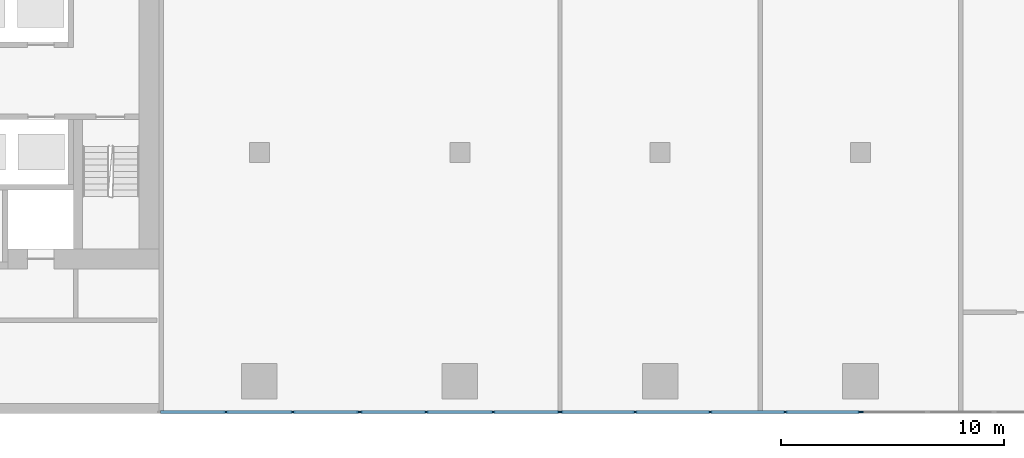
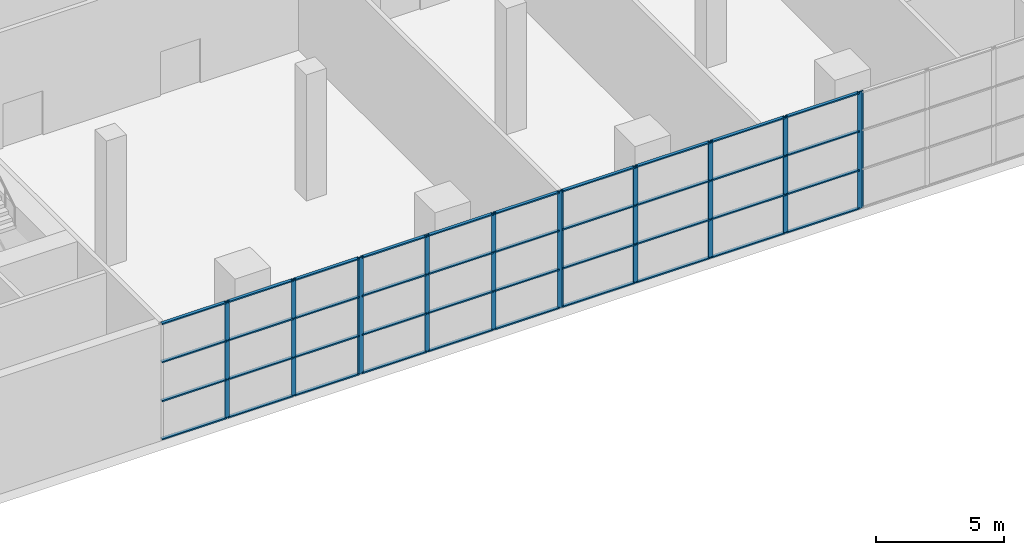
# One storey, part 4 of 27: 53 members, 4 elements without a shape of their own.
"""IFC4 building model written with IfcOpenShell, lengths in metres."""

from ifc_helpers import new_model, si_unit, direction, frame, origin, origin_2d, place, context, subcontext, project, spatial, rectangle, extrude, material, material_profile, profile_set, type_object, element, aggregate, save


model = new_model("IFC4")

# Units and contexts
model_context = context("Model", 3, precision=1e-05, world=origin(), true_north=direction((0.0, 1.0)))
body_context = subcontext(model_context, "Body", "Model", "MODEL_VIEW")
ifc_project = project(units=[si_unit("LENGTHUNIT", "METRE"), si_unit("AREAUNIT", "SQUARE_METRE"), si_unit("VOLUMEUNIT", "CUBIC_METRE"), si_unit("PLANEANGLEUNIT", "RADIAN"), si_unit("MASSUNIT", "GRAM", prefix="KILO")], contexts=[model_context])

# Site, building, storey
site_placement = place(None, origin())
site = spatial("IfcSite", under=ifc_project, at=site_placement, CompositionType="ELEMENT")
building_placement = place(site_placement, origin())
building = spatial("IfcBuilding", under=site, at=building_placement, Name="Kajstack Hotel Tower", CompositionType="ELEMENT")
storey_placement = place(building_placement, frame((0.0, 0.0, 11.0)))
storey = spatial("IfcBuildingStorey", under=building, at=storey_placement, Name="L01", CompositionType="ELEMENT", Elevation=11.0)

# Curtain wall, members
ifc_material_1 = material(Name="Aluminium-framed curtain wall, low-iron glass", Category="aluminium")
curtain_wall_type = type_object("IfcCurtainWallType", Name="CW-LOBBY", PredefinedType="NOTDEFINED", material=ifc_material_1)
curtain_wall_1_placement = place(storey_placement, origin())
curtain_wall_1 = element("IfcCurtainWall", 1, at=curtain_wall_1_placement, inside=storey, type_object=curtain_wall_type, Name="Curtain wall CU1 L01-03-02-0", PredefinedType="NOTDEFINED")
ifc_material_2 = material(Name="Aluminium", Category="aluminium")
ifc_material_profile_1 = material_profile(ifc_material_2, rectangle(XDim=0.06005859375, YDim=0.199951171875, at=origin_2d()), Name="Aluminium mullion 60 x 200")
ifc_profile_set_1 = profile_set([ifc_material_profile_1], Name="Aluminium")
member_type_1 = type_object("IfcMemberType", Name="CW-M-LOBBY", PredefinedType="MULLION", material=ifc_profile_set_1)
member_1_placement = place(storey_placement, frame((-10.5, -21.925048828125, 0.0), z_axis=(0.0, 0.0, 1.0), x_axis=(0.0, 1.0, 0.0)))
member_1 = element("IfcMember", 2, at=member_1_placement, type_object=member_type_1, Name="CU1 mullion 2", PredefinedType="MULLION", context=body_context, shape_type="SweptSolid", body=[
    extrude(rectangle(XDim=0.06005859375, YDim=0.199951171875, at=origin_2d()), origin(), (0.0, 0.0, 1.0), 5.550048828125),
])
member_2_placement = place(storey_placement, frame((-7.5, -21.925048828125, 0.0), z_axis=(0.0, 0.0, 1.0), x_axis=(0.0, 1.0, 0.0)))
member_2 = element("IfcMember", 3, at=member_2_placement, type_object=member_type_1, Name="CU1 mullion 3", PredefinedType="MULLION", context=body_context, shape_type="SweptSolid", body=[
    extrude(rectangle(XDim=0.06005859375, YDim=0.199951171875, at=origin_2d()), origin(), (0.0, 0.0, 1.0), 5.550048828125),
])
member_3_placement = place(storey_placement, frame((-4.530029296875, -21.925048828125, 0.0), z_axis=(0.0, 0.0, 1.0), x_axis=(0.0, 1.0, 0.0)))
member_3 = element("IfcMember", 4, at=member_3_placement, type_object=member_type_1, Name="CU1 mullion 4", PredefinedType="MULLION", context=body_context, shape_type="SweptSolid", body=[
    extrude(rectangle(XDim=0.06005859375, YDim=0.199951171875, at=origin_2d()), origin(), (0.0, 0.0, 1.0), 5.550048828125),
])

curtain_wall_2_placement = place(storey_placement, origin())
curtain_wall_2 = element("IfcCurtainWall", 5, at=curtain_wall_2_placement, inside=storey, type_object=curtain_wall_type, Name="Curtain wall CU1 L01-03-02-1", PredefinedType="NOTDEFINED")
member_4_placement = place(storey_placement, frame((-4.469970703125, -21.925048828125, 0.0), z_axis=(0.0, 0.0, 1.0), x_axis=(0.0, 1.0, 0.0)))
member_4 = element("IfcMember", 6, at=member_4_placement, type_object=member_type_1, Name="CU1 mullion 1", PredefinedType="MULLION", context=body_context, shape_type="SweptSolid", body=[
    extrude(rectangle(XDim=0.06005859375, YDim=0.199951171875, at=origin_2d()), origin(), (0.0, 0.0, 1.0), 5.550048828125),
])
member_5_placement = place(storey_placement, frame((-1.5, -21.925048828125, 0.0), z_axis=(0.0, 0.0, 1.0), x_axis=(0.0, 1.0, 0.0)))
member_5 = element("IfcMember", 7, at=member_5_placement, type_object=member_type_1, Name="CU1 mullion 2", PredefinedType="MULLION", context=body_context, shape_type="SweptSolid", body=[
    extrude(rectangle(XDim=0.06005859375, YDim=0.199951171875, at=origin_2d()), origin(), (0.0, 0.0, 1.0), 5.550048828125),
])
member_6_placement = place(storey_placement, frame((1.5, -21.925048828125, 0.0), z_axis=(0.0, 0.0, 1.0), x_axis=(0.0, 1.0, 0.0)))
member_6 = element("IfcMember", 8, at=member_6_placement, type_object=member_type_1, Name="CU1 mullion 3", PredefinedType="MULLION", context=body_context, shape_type="SweptSolid", body=[
    extrude(rectangle(XDim=0.06005859375, YDim=0.199951171875, at=origin_2d()), origin(), (0.0, 0.0, 1.0), 5.550048828125),
])
member_7_placement = place(storey_placement, frame((4.469970703125, -21.925048828125, 0.0), z_axis=(0.0, 0.0, 1.0), x_axis=(0.0, 1.0, 0.0)))
member_7 = element("IfcMember", 9, at=member_7_placement, type_object=member_type_1, Name="CU1 mullion 4", PredefinedType="MULLION", context=body_context, shape_type="SweptSolid", body=[
    extrude(rectangle(XDim=0.06005859375, YDim=0.199951171875, at=origin_2d()), origin(), (0.0, 0.0, 1.0), 5.550048828125),
])

curtain_wall_3_placement = place(storey_placement, origin())
curtain_wall_3 = element("IfcCurtainWall", 10, at=curtain_wall_3_placement, inside=storey, type_object=curtain_wall_type, Name="Curtain wall CU1 L01-03-02-2", PredefinedType="NOTDEFINED")
member_8_placement = place(storey_placement, frame((4.530029296875, -21.925048828125, 0.0), z_axis=(0.0, 0.0, 1.0), x_axis=(0.0, 1.0, 0.0)))
member_8 = element("IfcMember", 11, at=member_8_placement, type_object=member_type_1, Name="CU1 mullion 1", PredefinedType="MULLION", context=body_context, shape_type="SweptSolid", body=[
    extrude(rectangle(XDim=0.06005859375, YDim=0.199951171875, at=origin_2d()), origin(), (0.0, 0.0, 1.0), 5.550048828125),
])
member_9_placement = place(storey_placement, frame((7.875, -21.925048828125, 0.0), z_axis=(0.0, 0.0, 1.0), x_axis=(0.0, 1.0, 0.0)))
member_9 = element("IfcMember", 12, at=member_9_placement, type_object=member_type_1, Name="CU1 mullion 2", PredefinedType="MULLION", context=body_context, shape_type="SweptSolid", body=[
    extrude(rectangle(XDim=0.06005859375, YDim=0.199951171875, at=origin_2d()), origin(), (0.0, 0.0, 1.0), 5.550048828125),
])
member_10_placement = place(storey_placement, frame((11.25, -21.925048828125, 0.0), z_axis=(0.0, 0.0, 1.0), x_axis=(0.0, 1.0, 0.0)))
member_10 = element("IfcMember", 13, at=member_10_placement, type_object=member_type_1, Name="CU1 mullion 3", PredefinedType="MULLION", context=body_context, shape_type="SweptSolid", body=[
    extrude(rectangle(XDim=0.06005859375, YDim=0.199951171875, at=origin_2d()), origin(), (0.0, 0.0, 1.0), 5.550048828125),
])
member_11_placement = place(storey_placement, frame((14.625, -21.925048828125, 0.0), z_axis=(0.0, 0.0, 1.0), x_axis=(0.0, 1.0, 0.0)))
member_11 = element("IfcMember", 14, at=member_11_placement, type_object=member_type_1, Name="CU1 mullion 4", PredefinedType="MULLION", context=body_context, shape_type="SweptSolid", body=[
    extrude(rectangle(XDim=0.06005859375, YDim=0.199951171875, at=origin_2d()), origin(), (0.0, 0.0, 1.0), 5.550048828125),
])
member_12_placement = place(storey_placement, frame((17.969970703125, -21.925048828125, 0.0), z_axis=(0.0, 0.0, 1.0), x_axis=(0.0, 1.0, 0.0)))
member_12 = element("IfcMember", 15, at=member_12_placement, type_object=member_type_1, Name="CU1 mullion 5", PredefinedType="MULLION", context=body_context, shape_type="SweptSolid", body=[
    extrude(rectangle(XDim=0.06005859375, YDim=0.199951171875, at=origin_2d()), origin(), (0.0, 0.0, 1.0), 5.550048828125),
])

# Curtain wall, member
curtain_wall_4_placement = place(storey_placement, origin())
curtain_wall_4 = element("IfcCurtainWall", 16, at=curtain_wall_4_placement, inside=storey, type_object=curtain_wall_type, Name="Curtain wall CU1 L01-03-02-3", PredefinedType="NOTDEFINED")
member_13_placement = place(storey_placement, frame((18.030029296875, -21.925048828125, 0.0), z_axis=(0.0, 0.0, 1.0), x_axis=(0.0, 1.0, 0.0)))
member_13 = element("IfcMember", 17, at=member_13_placement, type_object=member_type_1, Name="CU1 mullion 1", PredefinedType="MULLION", context=body_context, shape_type="SweptSolid", body=[
    extrude(rectangle(XDim=0.06005859375, YDim=0.199951171875, at=origin_2d()), origin(), (0.0, 0.0, 1.0), 5.550048828125),
])
aggregate(curtain_wall_4, [member_13])

# Member
ifc_material_profile_2 = material_profile(ifc_material_2, rectangle(XDim=0.139892578125, YDim=0.06005859375, at=origin_2d()), Name="Aluminium transom 140 x 60")
ifc_profile_set_2 = profile_set([ifc_material_profile_2], Name="Aluminium")
member_type_2 = type_object("IfcMemberType", Name="CW-T-LOBBY", PredefinedType="USERDEFINED", material=ifc_profile_set_2)
member_14_placement = place(storey_placement, frame((-13.43994140625, -21.925048828125, 0.030029296875), z_axis=(1.0, 0.0, 0.0), x_axis=(0.0, 1.0, 0.0)))
member_14 = element("IfcMember", 18, at=member_14_placement, type_object=member_type_2, Name="CU1 transom 1.1", ObjectType="TRANSOM", PredefinedType="USERDEFINED", context=body_context, shape_type="SweptSolid", body=[
    extrude(rectangle(XDim=0.139892578125, YDim=0.06005859375, at=origin_2d()), origin(), (0.0, 0.0, 1.0), 2.909912109375),
])

member_15_placement = place(storey_placement, frame((-13.43994140625, -21.925048828125, 1.85009765625), z_axis=(1.0, 0.0, 0.0), x_axis=(0.0, 1.0, 0.0)))
member_15 = element("IfcMember", 19, at=member_15_placement, type_object=member_type_2, Name="CU1 transom 1.2", ObjectType="TRANSOM", PredefinedType="USERDEFINED", context=body_context, shape_type="SweptSolid", body=[
    extrude(rectangle(XDim=0.139892578125, YDim=0.06005859375, at=origin_2d()), origin(), (0.0, 0.0, 1.0), 2.909912109375),
])

member_16_placement = place(storey_placement, frame((-13.43994140625, -21.925048828125, 3.699951171875), z_axis=(1.0, 0.0, 0.0), x_axis=(0.0, 1.0, 0.0)))
member_16 = element("IfcMember", 20, at=member_16_placement, type_object=member_type_2, Name="CU1 transom 1.3", ObjectType="TRANSOM", PredefinedType="USERDEFINED", context=body_context, shape_type="SweptSolid", body=[
    extrude(rectangle(XDim=0.139892578125, YDim=0.06005859375, at=origin_2d()), origin(), (0.0, 0.0, 1.0), 2.909912109375),
])

member_17_placement = place(storey_placement, frame((-13.43994140625, -21.925048828125, 5.52001953125), z_axis=(1.0, 0.0, 0.0), x_axis=(0.0, 1.0, 0.0)))
member_17 = element("IfcMember", 21, at=member_17_placement, type_object=member_type_2, Name="CU1 transom 1.4", ObjectType="TRANSOM", PredefinedType="USERDEFINED", context=body_context, shape_type="SweptSolid", body=[
    extrude(rectangle(XDim=0.139892578125, YDim=0.06005859375, at=origin_2d()), origin(), (0.0, 0.0, 1.0), 2.909912109375),
])

member_18_placement = place(storey_placement, frame((-10.469970703125, -21.925048828125, 0.030029296875), z_axis=(1.0, 0.0, 0.0), x_axis=(0.0, 1.0, 0.0)))
member_18 = element("IfcMember", 22, at=member_18_placement, type_object=member_type_2, Name="CU1 transom 2.1", ObjectType="TRANSOM", PredefinedType="USERDEFINED", context=body_context, shape_type="SweptSolid", body=[
    extrude(rectangle(XDim=0.139892578125, YDim=0.06005859375, at=origin_2d()), origin(), (0.0, 0.0, 1.0), 2.93994140625),
])

member_19_placement = place(storey_placement, frame((-10.469970703125, -21.925048828125, 1.85009765625), z_axis=(1.0, 0.0, 0.0), x_axis=(0.0, 1.0, 0.0)))
member_19 = element("IfcMember", 23, at=member_19_placement, type_object=member_type_2, Name="CU1 transom 2.2", ObjectType="TRANSOM", PredefinedType="USERDEFINED", context=body_context, shape_type="SweptSolid", body=[
    extrude(rectangle(XDim=0.139892578125, YDim=0.06005859375, at=origin_2d()), origin(), (0.0, 0.0, 1.0), 2.93994140625),
])

member_20_placement = place(storey_placement, frame((-10.469970703125, -21.925048828125, 3.699951171875), z_axis=(1.0, 0.0, 0.0), x_axis=(0.0, 1.0, 0.0)))
member_20 = element("IfcMember", 24, at=member_20_placement, type_object=member_type_2, Name="CU1 transom 2.3", ObjectType="TRANSOM", PredefinedType="USERDEFINED", context=body_context, shape_type="SweptSolid", body=[
    extrude(rectangle(XDim=0.139892578125, YDim=0.06005859375, at=origin_2d()), origin(), (0.0, 0.0, 1.0), 2.93994140625),
])

member_21_placement = place(storey_placement, frame((-10.469970703125, -21.925048828125, 5.52001953125), z_axis=(1.0, 0.0, 0.0), x_axis=(0.0, 1.0, 0.0)))
member_21 = element("IfcMember", 25, at=member_21_placement, type_object=member_type_2, Name="CU1 transom 2.4", ObjectType="TRANSOM", PredefinedType="USERDEFINED", context=body_context, shape_type="SweptSolid", body=[
    extrude(rectangle(XDim=0.139892578125, YDim=0.06005859375, at=origin_2d()), origin(), (0.0, 0.0, 1.0), 2.93994140625),
])

member_22_placement = place(storey_placement, frame((-7.469970703125, -21.925048828125, 0.030029296875), z_axis=(1.0, 0.0, 0.0), x_axis=(0.0, 1.0, 0.0)))
member_22 = element("IfcMember", 26, at=member_22_placement, type_object=member_type_2, Name="CU1 transom 3.1", ObjectType="TRANSOM", PredefinedType="USERDEFINED", context=body_context, shape_type="SweptSolid", body=[
    extrude(rectangle(XDim=0.139892578125, YDim=0.06005859375, at=origin_2d()), origin(), (0.0, 0.0, 1.0), 2.909912109375),
])

member_23_placement = place(storey_placement, frame((-7.469970703125, -21.925048828125, 1.85009765625), z_axis=(1.0, 0.0, 0.0), x_axis=(0.0, 1.0, 0.0)))
member_23 = element("IfcMember", 27, at=member_23_placement, type_object=member_type_2, Name="CU1 transom 3.2", ObjectType="TRANSOM", PredefinedType="USERDEFINED", context=body_context, shape_type="SweptSolid", body=[
    extrude(rectangle(XDim=0.139892578125, YDim=0.06005859375, at=origin_2d()), origin(), (0.0, 0.0, 1.0), 2.909912109375),
])

member_24_placement = place(storey_placement, frame((-7.469970703125, -21.925048828125, 3.699951171875), z_axis=(1.0, 0.0, 0.0), x_axis=(0.0, 1.0, 0.0)))
member_24 = element("IfcMember", 28, at=member_24_placement, type_object=member_type_2, Name="CU1 transom 3.3", ObjectType="TRANSOM", PredefinedType="USERDEFINED", context=body_context, shape_type="SweptSolid", body=[
    extrude(rectangle(XDim=0.139892578125, YDim=0.06005859375, at=origin_2d()), origin(), (0.0, 0.0, 1.0), 2.909912109375),
])

member_25_placement = place(storey_placement, frame((-7.469970703125, -21.925048828125, 5.52001953125), z_axis=(1.0, 0.0, 0.0), x_axis=(0.0, 1.0, 0.0)))
member_25 = element("IfcMember", 29, at=member_25_placement, type_object=member_type_2, Name="CU1 transom 3.4", ObjectType="TRANSOM", PredefinedType="USERDEFINED", context=body_context, shape_type="SweptSolid", body=[
    extrude(rectangle(XDim=0.139892578125, YDim=0.06005859375, at=origin_2d()), origin(), (0.0, 0.0, 1.0), 2.909912109375),
])

aggregate(curtain_wall_1, [member_1, member_2, member_3, member_14, member_15, member_16, member_17, member_18, member_19, member_20, member_21, member_22, member_23, member_24, member_25])

member_26_placement = place(storey_placement, frame((-4.43994140625, -21.925048828125, 0.030029296875), z_axis=(1.0, 0.0, 0.0), x_axis=(0.0, 1.0, 0.0)))
member_26 = element("IfcMember", 30, at=member_26_placement, type_object=member_type_2, Name="CU1 transom 1.1", ObjectType="TRANSOM", PredefinedType="USERDEFINED", context=body_context, shape_type="SweptSolid", body=[
    extrude(rectangle(XDim=0.139892578125, YDim=0.06005859375, at=origin_2d()), origin(), (0.0, 0.0, 1.0), 2.909912109375),
])

member_27_placement = place(storey_placement, frame((-4.43994140625, -21.925048828125, 1.85009765625), z_axis=(1.0, 0.0, 0.0), x_axis=(0.0, 1.0, 0.0)))
member_27 = element("IfcMember", 31, at=member_27_placement, type_object=member_type_2, Name="CU1 transom 1.2", ObjectType="TRANSOM", PredefinedType="USERDEFINED", context=body_context, shape_type="SweptSolid", body=[
    extrude(rectangle(XDim=0.139892578125, YDim=0.06005859375, at=origin_2d()), origin(), (0.0, 0.0, 1.0), 2.909912109375),
])

member_28_placement = place(storey_placement, frame((-4.43994140625, -21.925048828125, 3.699951171875), z_axis=(1.0, 0.0, 0.0), x_axis=(0.0, 1.0, 0.0)))
member_28 = element("IfcMember", 32, at=member_28_placement, type_object=member_type_2, Name="CU1 transom 1.3", ObjectType="TRANSOM", PredefinedType="USERDEFINED", context=body_context, shape_type="SweptSolid", body=[
    extrude(rectangle(XDim=0.139892578125, YDim=0.06005859375, at=origin_2d()), origin(), (0.0, 0.0, 1.0), 2.909912109375),
])

member_29_placement = place(storey_placement, frame((-4.43994140625, -21.925048828125, 5.52001953125), z_axis=(1.0, 0.0, 0.0), x_axis=(0.0, 1.0, 0.0)))
member_29 = element("IfcMember", 33, at=member_29_placement, type_object=member_type_2, Name="CU1 transom 1.4", ObjectType="TRANSOM", PredefinedType="USERDEFINED", context=body_context, shape_type="SweptSolid", body=[
    extrude(rectangle(XDim=0.139892578125, YDim=0.06005859375, at=origin_2d()), origin(), (0.0, 0.0, 1.0), 2.909912109375),
])

member_30_placement = place(storey_placement, frame((-1.469970703125, -21.925048828125, 0.030029296875), z_axis=(1.0, 0.0, 0.0), x_axis=(0.0, 1.0, 0.0)))
member_30 = element("IfcMember", 34, at=member_30_placement, type_object=member_type_2, Name="CU1 transom 2.1", ObjectType="TRANSOM", PredefinedType="USERDEFINED", context=body_context, shape_type="SweptSolid", body=[
    extrude(rectangle(XDim=0.139892578125, YDim=0.06005859375, at=origin_2d()), origin(), (0.0, 0.0, 1.0), 2.93994140625),
])

member_31_placement = place(storey_placement, frame((-1.469970703125, -21.925048828125, 1.85009765625), z_axis=(1.0, 0.0, 0.0), x_axis=(0.0, 1.0, 0.0)))
member_31 = element("IfcMember", 35, at=member_31_placement, type_object=member_type_2, Name="CU1 transom 2.2", ObjectType="TRANSOM", PredefinedType="USERDEFINED", context=body_context, shape_type="SweptSolid", body=[
    extrude(rectangle(XDim=0.139892578125, YDim=0.06005859375, at=origin_2d()), origin(), (0.0, 0.0, 1.0), 2.93994140625),
])

member_32_placement = place(storey_placement, frame((-1.469970703125, -21.925048828125, 3.699951171875), z_axis=(1.0, 0.0, 0.0), x_axis=(0.0, 1.0, 0.0)))
member_32 = element("IfcMember", 36, at=member_32_placement, type_object=member_type_2, Name="CU1 transom 2.3", ObjectType="TRANSOM", PredefinedType="USERDEFINED", context=body_context, shape_type="SweptSolid", body=[
    extrude(rectangle(XDim=0.139892578125, YDim=0.06005859375, at=origin_2d()), origin(), (0.0, 0.0, 1.0), 2.93994140625),
])

member_33_placement = place(storey_placement, frame((-1.469970703125, -21.925048828125, 5.52001953125), z_axis=(1.0, 0.0, 0.0), x_axis=(0.0, 1.0, 0.0)))
member_33 = element("IfcMember", 37, at=member_33_placement, type_object=member_type_2, Name="CU1 transom 2.4", ObjectType="TRANSOM", PredefinedType="USERDEFINED", context=body_context, shape_type="SweptSolid", body=[
    extrude(rectangle(XDim=0.139892578125, YDim=0.06005859375, at=origin_2d()), origin(), (0.0, 0.0, 1.0), 2.93994140625),
])

member_34_placement = place(storey_placement, frame((1.530029296875, -21.925048828125, 0.030029296875), z_axis=(1.0, 0.0, 0.0), x_axis=(0.0, 1.0, 0.0)))
member_34 = element("IfcMember", 38, at=member_34_placement, type_object=member_type_2, Name="CU1 transom 3.1", ObjectType="TRANSOM", PredefinedType="USERDEFINED", context=body_context, shape_type="SweptSolid", body=[
    extrude(rectangle(XDim=0.139892578125, YDim=0.06005859375, at=origin_2d()), origin(), (0.0, 0.0, 1.0), 2.909912109375),
])

member_35_placement = place(storey_placement, frame((1.530029296875, -21.925048828125, 1.85009765625), z_axis=(1.0, 0.0, 0.0), x_axis=(0.0, 1.0, 0.0)))
member_35 = element("IfcMember", 39, at=member_35_placement, type_object=member_type_2, Name="CU1 transom 3.2", ObjectType="TRANSOM", PredefinedType="USERDEFINED", context=body_context, shape_type="SweptSolid", body=[
    extrude(rectangle(XDim=0.139892578125, YDim=0.06005859375, at=origin_2d()), origin(), (0.0, 0.0, 1.0), 2.909912109375),
])

member_36_placement = place(storey_placement, frame((1.530029296875, -21.925048828125, 3.699951171875), z_axis=(1.0, 0.0, 0.0), x_axis=(0.0, 1.0, 0.0)))
member_36 = element("IfcMember", 40, at=member_36_placement, type_object=member_type_2, Name="CU1 transom 3.3", ObjectType="TRANSOM", PredefinedType="USERDEFINED", context=body_context, shape_type="SweptSolid", body=[
    extrude(rectangle(XDim=0.139892578125, YDim=0.06005859375, at=origin_2d()), origin(), (0.0, 0.0, 1.0), 2.909912109375),
])

member_37_placement = place(storey_placement, frame((1.530029296875, -21.925048828125, 5.52001953125), z_axis=(1.0, 0.0, 0.0), x_axis=(0.0, 1.0, 0.0)))
member_37 = element("IfcMember", 41, at=member_37_placement, type_object=member_type_2, Name="CU1 transom 3.4", ObjectType="TRANSOM", PredefinedType="USERDEFINED", context=body_context, shape_type="SweptSolid", body=[
    extrude(rectangle(XDim=0.139892578125, YDim=0.06005859375, at=origin_2d()), origin(), (0.0, 0.0, 1.0), 2.909912109375),
])

aggregate(curtain_wall_2, [member_4, member_5, member_6, member_7, member_26, member_27, member_28, member_29, member_30, member_31, member_32, member_33, member_34, member_35, member_36, member_37])

member_38_placement = place(storey_placement, frame((4.56005859375, -21.925048828125, 0.030029296875), z_axis=(1.0, 0.0, 0.0), x_axis=(0.0, 1.0, 0.0)))
member_38 = element("IfcMember", 42, at=member_38_placement, type_object=member_type_2, Name="CU1 transom 1.1", ObjectType="TRANSOM", PredefinedType="USERDEFINED", context=body_context, shape_type="SweptSolid", body=[
    extrude(rectangle(XDim=0.139892578125, YDim=0.06005859375, at=origin_2d()), origin(), (0.0, 0.0, 1.0), 3.284912109375),
])

member_39_placement = place(storey_placement, frame((4.56005859375, -21.925048828125, 1.85009765625), z_axis=(1.0, 0.0, 0.0), x_axis=(0.0, 1.0, 0.0)))
member_39 = element("IfcMember", 43, at=member_39_placement, type_object=member_type_2, Name="CU1 transom 1.2", ObjectType="TRANSOM", PredefinedType="USERDEFINED", context=body_context, shape_type="SweptSolid", body=[
    extrude(rectangle(XDim=0.139892578125, YDim=0.06005859375, at=origin_2d()), origin(), (0.0, 0.0, 1.0), 3.284912109375),
])

member_40_placement = place(storey_placement, frame((4.56005859375, -21.925048828125, 3.699951171875), z_axis=(1.0, 0.0, 0.0), x_axis=(0.0, 1.0, 0.0)))
member_40 = element("IfcMember", 44, at=member_40_placement, type_object=member_type_2, Name="CU1 transom 1.3", ObjectType="TRANSOM", PredefinedType="USERDEFINED", context=body_context, shape_type="SweptSolid", body=[
    extrude(rectangle(XDim=0.139892578125, YDim=0.06005859375, at=origin_2d()), origin(), (0.0, 0.0, 1.0), 3.284912109375),
])

member_41_placement = place(storey_placement, frame((4.56005859375, -21.925048828125, 5.52001953125), z_axis=(1.0, 0.0, 0.0), x_axis=(0.0, 1.0, 0.0)))
member_41 = element("IfcMember", 45, at=member_41_placement, type_object=member_type_2, Name="CU1 transom 1.4", ObjectType="TRANSOM", PredefinedType="USERDEFINED", context=body_context, shape_type="SweptSolid", body=[
    extrude(rectangle(XDim=0.139892578125, YDim=0.06005859375, at=origin_2d()), origin(), (0.0, 0.0, 1.0), 3.284912109375),
])

member_42_placement = place(storey_placement, frame((7.905029296875, -21.925048828125, 0.030029296875), z_axis=(1.0, 0.0, 0.0), x_axis=(0.0, 1.0, 0.0)))
member_42 = element("IfcMember", 46, at=member_42_placement, type_object=member_type_2, Name="CU1 transom 2.1", ObjectType="TRANSOM", PredefinedType="USERDEFINED", context=body_context, shape_type="SweptSolid", body=[
    extrude(rectangle(XDim=0.139892578125, YDim=0.06005859375, at=origin_2d()), origin(), (0.0, 0.0, 1.0), 3.31494140625),
])

member_43_placement = place(storey_placement, frame((7.905029296875, -21.925048828125, 1.85009765625), z_axis=(1.0, 0.0, 0.0), x_axis=(0.0, 1.0, 0.0)))
member_43 = element("IfcMember", 47, at=member_43_placement, type_object=member_type_2, Name="CU1 transom 2.2", ObjectType="TRANSOM", PredefinedType="USERDEFINED", context=body_context, shape_type="SweptSolid", body=[
    extrude(rectangle(XDim=0.139892578125, YDim=0.06005859375, at=origin_2d()), origin(), (0.0, 0.0, 1.0), 3.31494140625),
])

member_44_placement = place(storey_placement, frame((7.905029296875, -21.925048828125, 3.699951171875), z_axis=(1.0, 0.0, 0.0), x_axis=(0.0, 1.0, 0.0)))
member_44 = element("IfcMember", 48, at=member_44_placement, type_object=member_type_2, Name="CU1 transom 2.3", ObjectType="TRANSOM", PredefinedType="USERDEFINED", context=body_context, shape_type="SweptSolid", body=[
    extrude(rectangle(XDim=0.139892578125, YDim=0.06005859375, at=origin_2d()), origin(), (0.0, 0.0, 1.0), 3.31494140625),
])

member_45_placement = place(storey_placement, frame((7.905029296875, -21.925048828125, 5.52001953125), z_axis=(1.0, 0.0, 0.0), x_axis=(0.0, 1.0, 0.0)))
member_45 = element("IfcMember", 49, at=member_45_placement, type_object=member_type_2, Name="CU1 transom 2.4", ObjectType="TRANSOM", PredefinedType="USERDEFINED", context=body_context, shape_type="SweptSolid", body=[
    extrude(rectangle(XDim=0.139892578125, YDim=0.06005859375, at=origin_2d()), origin(), (0.0, 0.0, 1.0), 3.31494140625),
])

member_46_placement = place(storey_placement, frame((11.280029296875, -21.925048828125, 0.030029296875), z_axis=(1.0, 0.0, 0.0), x_axis=(0.0, 1.0, 0.0)))
member_46 = element("IfcMember", 50, at=member_46_placement, type_object=member_type_2, Name="CU1 transom 3.1", ObjectType="TRANSOM", PredefinedType="USERDEFINED", context=body_context, shape_type="SweptSolid", body=[
    extrude(rectangle(XDim=0.139892578125, YDim=0.06005859375, at=origin_2d()), origin(), (0.0, 0.0, 1.0), 3.31494140625),
])

member_47_placement = place(storey_placement, frame((11.280029296875, -21.925048828125, 1.85009765625), z_axis=(1.0, 0.0, 0.0), x_axis=(0.0, 1.0, 0.0)))
member_47 = element("IfcMember", 51, at=member_47_placement, type_object=member_type_2, Name="CU1 transom 3.2", ObjectType="TRANSOM", PredefinedType="USERDEFINED", context=body_context, shape_type="SweptSolid", body=[
    extrude(rectangle(XDim=0.139892578125, YDim=0.06005859375, at=origin_2d()), origin(), (0.0, 0.0, 1.0), 3.31494140625),
])

member_48_placement = place(storey_placement, frame((11.280029296875, -21.925048828125, 3.699951171875), z_axis=(1.0, 0.0, 0.0), x_axis=(0.0, 1.0, 0.0)))
member_48 = element("IfcMember", 52, at=member_48_placement, type_object=member_type_2, Name="CU1 transom 3.3", ObjectType="TRANSOM", PredefinedType="USERDEFINED", context=body_context, shape_type="SweptSolid", body=[
    extrude(rectangle(XDim=0.139892578125, YDim=0.06005859375, at=origin_2d()), origin(), (0.0, 0.0, 1.0), 3.31494140625),
])

member_49_placement = place(storey_placement, frame((11.280029296875, -21.925048828125, 5.52001953125), z_axis=(1.0, 0.0, 0.0), x_axis=(0.0, 1.0, 0.0)))
member_49 = element("IfcMember", 53, at=member_49_placement, type_object=member_type_2, Name="CU1 transom 3.4", ObjectType="TRANSOM", PredefinedType="USERDEFINED", context=body_context, shape_type="SweptSolid", body=[
    extrude(rectangle(XDim=0.139892578125, YDim=0.06005859375, at=origin_2d()), origin(), (0.0, 0.0, 1.0), 3.31494140625),
])

member_50_placement = place(storey_placement, frame((14.655029296875, -21.925048828125, 0.030029296875), z_axis=(1.0, 0.0, 0.0), x_axis=(0.0, 1.0, 0.0)))
member_50 = element("IfcMember", 54, at=member_50_placement, type_object=member_type_2, Name="CU1 transom 4.1", ObjectType="TRANSOM", PredefinedType="USERDEFINED", context=body_context, shape_type="SweptSolid", body=[
    extrude(rectangle(XDim=0.139892578125, YDim=0.06005859375, at=origin_2d()), origin(), (0.0, 0.0, 1.0), 3.284912109375),
])

member_51_placement = place(storey_placement, frame((14.655029296875, -21.925048828125, 1.85009765625), z_axis=(1.0, 0.0, 0.0), x_axis=(0.0, 1.0, 0.0)))
member_51 = element("IfcMember", 55, at=member_51_placement, type_object=member_type_2, Name="CU1 transom 4.2", ObjectType="TRANSOM", PredefinedType="USERDEFINED", context=body_context, shape_type="SweptSolid", body=[
    extrude(rectangle(XDim=0.139892578125, YDim=0.06005859375, at=origin_2d()), origin(), (0.0, 0.0, 1.0), 3.284912109375),
])

member_52_placement = place(storey_placement, frame((14.655029296875, -21.925048828125, 3.699951171875), z_axis=(1.0, 0.0, 0.0), x_axis=(0.0, 1.0, 0.0)))
member_52 = element("IfcMember", 56, at=member_52_placement, type_object=member_type_2, Name="CU1 transom 4.3", ObjectType="TRANSOM", PredefinedType="USERDEFINED", context=body_context, shape_type="SweptSolid", body=[
    extrude(rectangle(XDim=0.139892578125, YDim=0.06005859375, at=origin_2d()), origin(), (0.0, 0.0, 1.0), 3.284912109375),
])

member_53_placement = place(storey_placement, frame((14.655029296875, -21.925048828125, 5.52001953125), z_axis=(1.0, 0.0, 0.0), x_axis=(0.0, 1.0, 0.0)))
member_53 = element("IfcMember", 57, at=member_53_placement, type_object=member_type_2, Name="CU1 transom 4.4", ObjectType="TRANSOM", PredefinedType="USERDEFINED", context=body_context, shape_type="SweptSolid", body=[
    extrude(rectangle(XDim=0.139892578125, YDim=0.06005859375, at=origin_2d()), origin(), (0.0, 0.0, 1.0), 3.284912109375),
])

aggregate(curtain_wall_3, [member_8, member_9, member_10, member_11, member_12, member_38, member_39, member_40, member_41, member_42, member_43, member_44, member_45, member_46, member_47, member_48, member_49, member_50, member_51, member_52, member_53])

save(model, "model.ifc")
